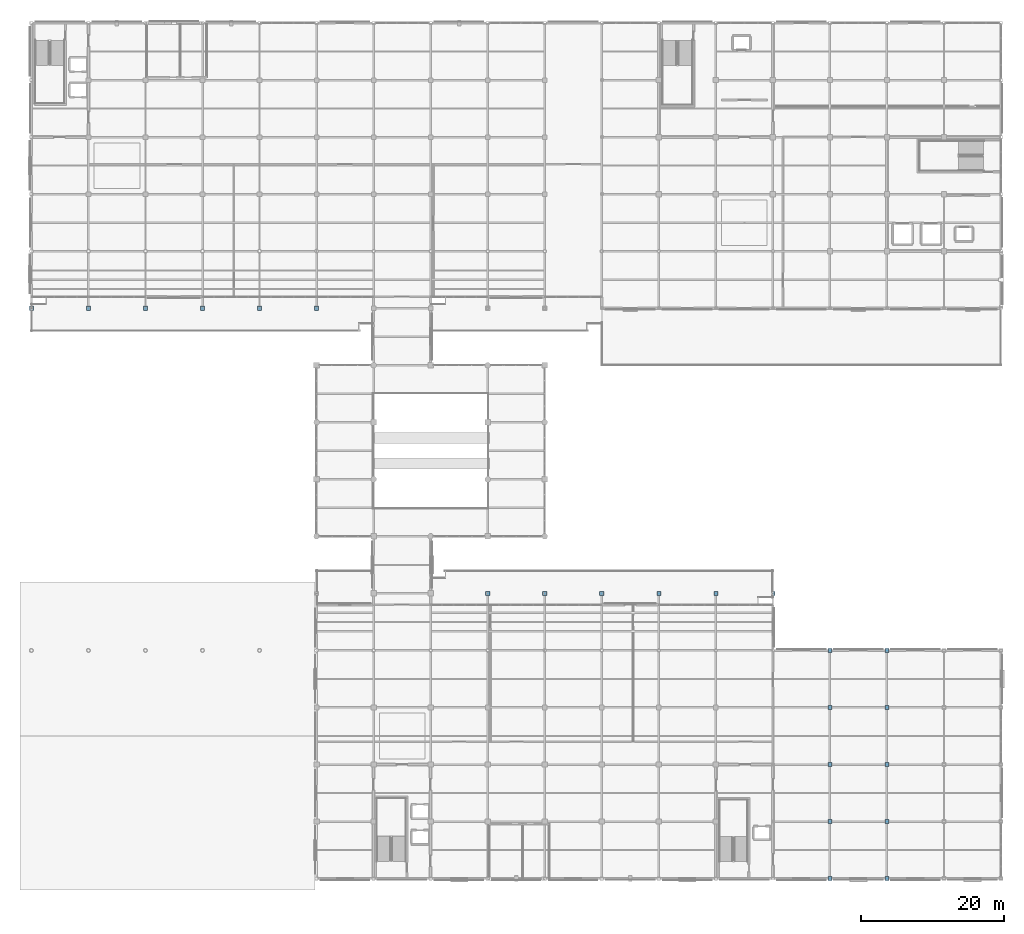
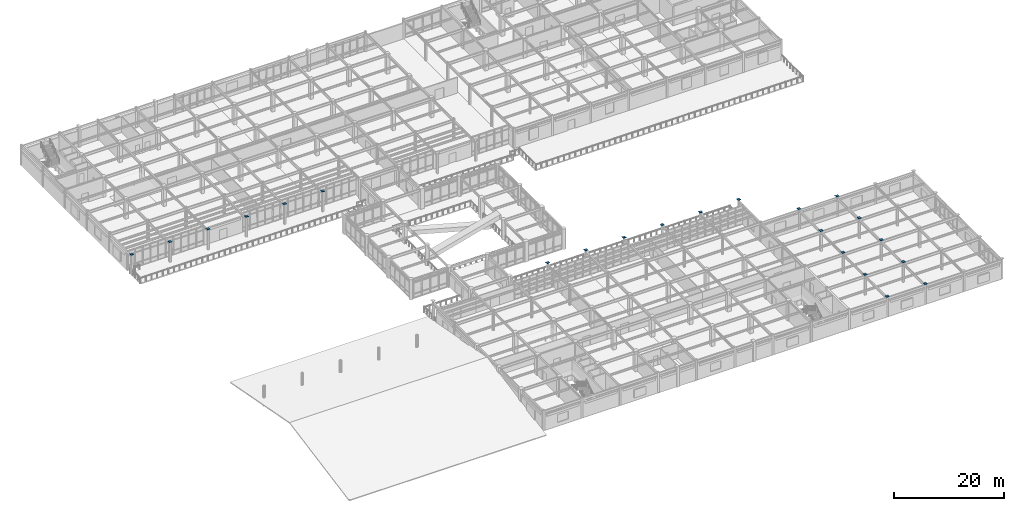
# One storey, part 94 of 111: 22 discrete accessories.
"""IFC4 building model written with IfcOpenShell, lengths in metres."""

from ifc_helpers import new_model, si_unit, direction, frame, origin, origin_2d, place, context, subcontext, project, spatial, rectangle, extrude, material, layer, layer_set, type_object, element, save


model = new_model("IFC4")

# Units and contexts
model_context = context("Model", 3, precision=1e-05, world=origin(), true_north=direction((0.0, 1.0)))
body_context = subcontext(model_context, "Body", "Model", "MODEL_VIEW")
ifc_project = project(units=[si_unit("LENGTHUNIT", "METRE"), si_unit("AREAUNIT", "SQUARE_METRE"), si_unit("VOLUMEUNIT", "CUBIC_METRE"), si_unit("PLANEANGLEUNIT", "RADIAN"), si_unit("MASSUNIT", "GRAM", prefix="KILO")], contexts=[model_context])

# Site, building, storey
site_placement = place(None, origin())
site = spatial("IfcSite", under=ifc_project, at=site_placement, CompositionType="ELEMENT")
building_placement = place(site_placement, origin())
building = spatial("IfcBuilding", under=site, at=building_placement, Name="Solmirada Galleria", CompositionType="ELEMENT")
storey_placement = place(building_placement, frame((0.0, 0.0, 10.39990234375)))
storey = spatial("IfcBuildingStorey", under=building, at=storey_placement, Name="L02", CompositionType="ELEMENT", Elevation=10.39990234375)

# Discrete accessories
ifc_material = material(Name="Steel S355 / ASTM A572 Grade 50", Category="steel")
ifc_layer = layer(ifc_material, 0.031982421875)
ifc_layer_set = layer_set([ifc_layer], Name="Steel S355 / ASTM A572 Grade 50")
discrete_accessory_type = type_object("IfcDiscreteAccessoryType", Name="ACC-COL-CAP", PredefinedType="BRACKET", material=ifc_layer_set)
for number, where, z_axis, x_axis, name in (
    (1, (40.0, 80.0, 4.494140625), (0.0, 0.0, 1.0), (1.0, 0.0, 0.0), "Hollow column cap plate L02-0044"),
    (2, (48.0, 80.0, 4.494140625), (0.0, 0.0, 1.0), (1.0, 0.0, 0.0), "Hollow column cap plate L02-0111"),
    (3, (56.0, 80.0, 4.494140625), (0.0, 0.0, 1.0), (1.0, 0.0, 0.0), "Hollow column cap plate L02-0178"),
    (4, (64.0, 80.0, 4.494140625), (0.0, 0.0, 1.0), (1.0, 0.0, 0.0), "Hollow column cap plate L02-0242"),
    (5, (72.0, 80.0, 4.494140625), (0.0, 0.0, 1.0), (1.0, 0.0, 0.0), "Hollow column cap plate L02-0309"),
    (6, (80.0, 80.0, 4.494140625), (0.0, 0.0, 1.0), (1.0, 0.0, 0.0), "Hollow column cap plate L02-0426"),
    (7, (104.0, 40.0, 4.494140625), (0.0, 0.0, 1.0), (1.0, 0.0, 0.0), "Hollow column cap plate L02-0732"),
    (8, (112.0, 40.0, 4.494140625), (0.0, 0.0, 1.0), (1.0, 0.0, 0.0), "Hollow column cap plate L02-0844"),
    (9, (120.0, 40.0, 4.494140625), (0.0, 0.0, 1.0), (1.0, 0.0, 0.0), "Hollow column cap plate L02-0961"),
    (10, (128.0, 40.0, 4.494140625), (0.0, 0.0, 1.0), (1.0, 0.0, 0.0), "Hollow column cap plate L02-1044"),
    (11, (136.0, 40.0, 4.494140625), (0.0, 0.0, 1.0), (1.0, 0.0, 0.0), "Hollow column cap plate L02-1145"),
    (12, (144.0, 40.0, 4.494140625), (0.0, 0.0, 1.0), (1.0, 0.0, 0.0), "Hollow column cap plate L02-1235"),
    (13, (152.0, 0.0, 4.494140625), (0.0, 0.0, 1.0), (1.0, 0.0, 0.0), "Hollow column cap plate L02-1294"),
    (14, (152.0, 8.0, 4.494140625), (0.0, 0.0, 1.0), (1.0, 0.0, 0.0), "Hollow column cap plate L02-1298"),
    (15, (152.0, 16.0, 4.494140625), (0.0, 0.0, 1.0), (1.0, 0.0, 0.0), "Hollow column cap plate L02-1302"),
    (16, (152.0, 24.0, 4.494140625), (0.0, 0.0, 1.0), (1.0, 0.0, 0.0), "Hollow column cap plate L02-1306"),
    (17, (152.0, 32.0, 4.494140625), (0.0, 0.0, 1.0), (1.0, 0.0, 0.0), "Hollow column cap plate L02-1310"),
    (18, (160.0, 0.0, 4.494140625), (0.0, 0.0, 1.0), (1.0, 0.0, 0.0), "Hollow column cap plate L02-1367"),
    (19, (160.0, 8.0, 4.494140625), (0.0, 0.0, 1.0), (1.0, 0.0, 0.0), "Hollow column cap plate L02-1371"),
    (20, (160.0, 16.0, 4.494140625), (0.0, 0.0, 1.0), (1.0, 0.0, 0.0), "Hollow column cap plate L02-1375"),
    (21, (160.0, 24.0, 4.494140625), (0.0, 0.0, 1.0), (1.0, 0.0, 0.0), "Hollow column cap plate L02-1379"),
    (22, (160.0, 32.0, 4.494140625), (0.0, 0.0, 1.0), (1.0, 0.0, 0.0), "Hollow column cap plate L02-1383"),
):
    element("IfcDiscreteAccessory", number, at=place(storey_placement, frame(where, z_axis=z_axis, x_axis=x_axis)), inside=storey, type_object=discrete_accessory_type, Name=name, PredefinedType="BRACKET", context=body_context, shape_type="SweptSolid", body=[
        extrude(rectangle(XDim=0.580078125, YDim=0.580078125, at=origin_2d()), origin(), (0.0, 0.0, 1.0), 0.035888671875),
    ])

save(model, "model.ifc")
